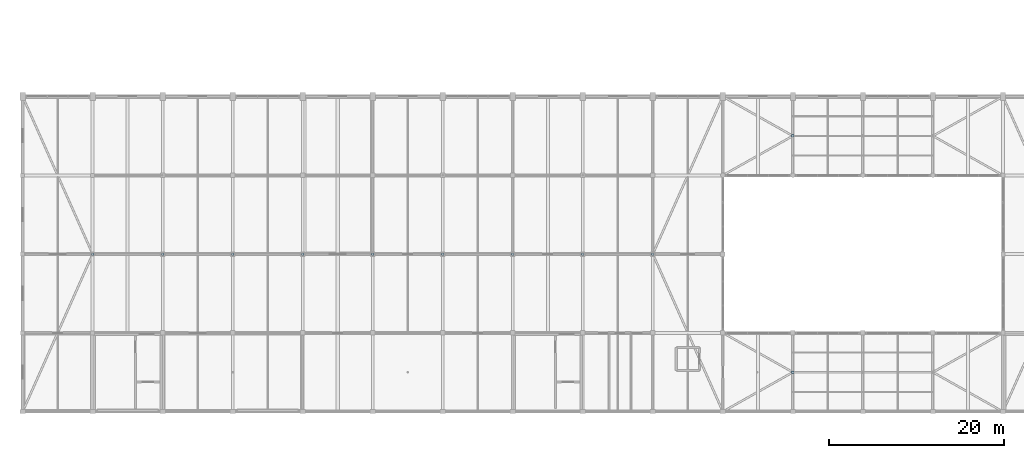
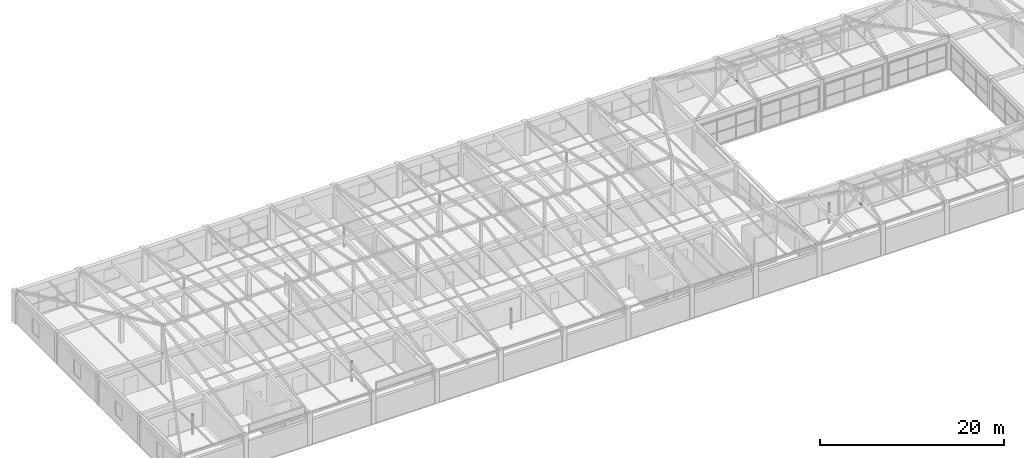
# One storey, part 51 of 65: 11 plates.
"""IFC4 building model written with IfcOpenShell, lengths in metres."""

from ifc_helpers import new_model, si_unit, direction, frame, origin, origin_2d, place, context, subcontext, project, spatial, rectangle, extrude, material, layer, layer_set, type_object, element, save


model = new_model("IFC4")

# Units and contexts
model_context = context("Model", 3, precision=1e-05, world=origin(), true_north=direction((0.0, 1.0)))
body_context = subcontext(model_context, "Body", "Model", "MODEL_VIEW")
ifc_project = project(units=[si_unit("LENGTHUNIT", "METRE"), si_unit("AREAUNIT", "SQUARE_METRE"), si_unit("VOLUMEUNIT", "CUBIC_METRE"), si_unit("PLANEANGLEUNIT", "RADIAN"), si_unit("MASSUNIT", "GRAM", prefix="KILO")], contexts=[model_context])

# Site, building, storey
site_placement = place(None, origin())
site = spatial("IfcSite", under=ifc_project, at=site_placement, CompositionType="ELEMENT")
building_placement = place(site_placement, origin())
building = spatial("IfcBuilding", under=site, at=building_placement, Name="Varnabhumi Central Station", CompositionType="ELEMENT")
storey_placement = place(building_placement, frame((0.0, 0.0, 24.60009765625)))
storey = spatial("IfcBuildingStorey", under=building, at=storey_placement, Name="L05", CompositionType="ELEMENT", Elevation=24.60009765625)

# Plates
ifc_material = material(Name="Structural steel E350", Category="steel")
ifc_layer = layer(ifc_material, 0.050048828125, Name="Structural steel E350", Category="steel")
ifc_layer_set = layer_set([ifc_layer], Name="Structural steel E350")
plate_type = type_object("IfcPlateType", Name="PLT-BASE-1100", PredefinedType="USERDEFINED", material=ifc_layer_set)
for number, where, z_axis, x_axis, name in (
    (1, (40.0, 18.0, 3.9501953125), (0.0, 0.0, 1.0), (1.0, 0.0, 0.0), "Roof Strut Base Plate SW6E-2"),
    (2, (48.0, 18.0, 3.9501953125), (0.0, 0.0, 1.0), (1.0, 0.0, 0.0), "Roof Strut Base Plate SW6E-3"),
    (3, (56.0, 18.0, 3.9501953125), (0.0, 0.0, 1.0), (1.0, 0.0, 0.0), "Roof Strut Base Plate SW6E-4"),
    (4, (64.0, 18.0, 3.9501953125), (0.0, 0.0, 1.0), (1.0, 0.0, 0.0), "Roof Strut Base Plate SW6E-5"),
    (5, (72.0, 18.0, 3.9501953125), (0.0, 0.0, 1.0), (1.0, 0.0, 0.0), "Roof Strut Base Plate SW6E-6"),
    (6, (80.0, 18.0, 3.9501953125), (0.0, 0.0, 1.0), (1.0, 0.0, 0.0), "Roof Strut Base Plate SW6E-7"),
    (7, (88.0, 18.0, 3.9501953125), (0.0, 0.0, 1.0), (1.0, 0.0, 0.0), "Roof Strut Base Plate SW6E-8"),
    (8, (96.0, 18.0, 3.9501953125), (0.0, 0.0, 1.0), (1.0, 0.0, 0.0), "Roof Strut Base Plate SW6E-9"),
    (9, (104.0, 18.0, 3.9501953125), (0.0, 0.0, 1.0), (1.0, 0.0, 0.0), "Roof Strut Base Plate SW6E-10"),
    (10, (120.0, 4.5, 3.9501953125), (0.0, 0.0, 1.0), (1.0, 0.0, 0.0), "Roof Strut Base Plate SW6CS-2"),
    (11, (120.0, 31.5, 3.9501953125), (0.0, 0.0, 1.0), (1.0, 0.0, 0.0), "Roof Strut Base Plate SW6CN-2"),
):
    element("IfcPlate", number, at=place(storey_placement, frame(where, z_axis=z_axis, x_axis=x_axis)), inside=storey, type_object=plate_type, Name=name, ObjectType="BASE PLATE", PredefinedType="USERDEFINED", context=body_context, shape_type="SweptSolid", body=[
        extrude(rectangle(XDim=0.300048828125, YDim=0.300048828125, at=origin_2d()), origin(), (0.0, 0.0, 1.0), 0.035888671875),
    ])

save(model, "model.ifc")
